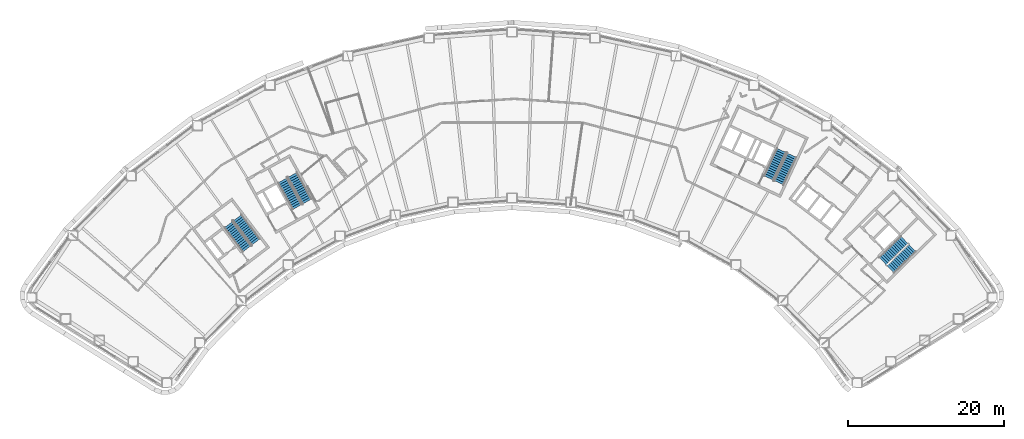
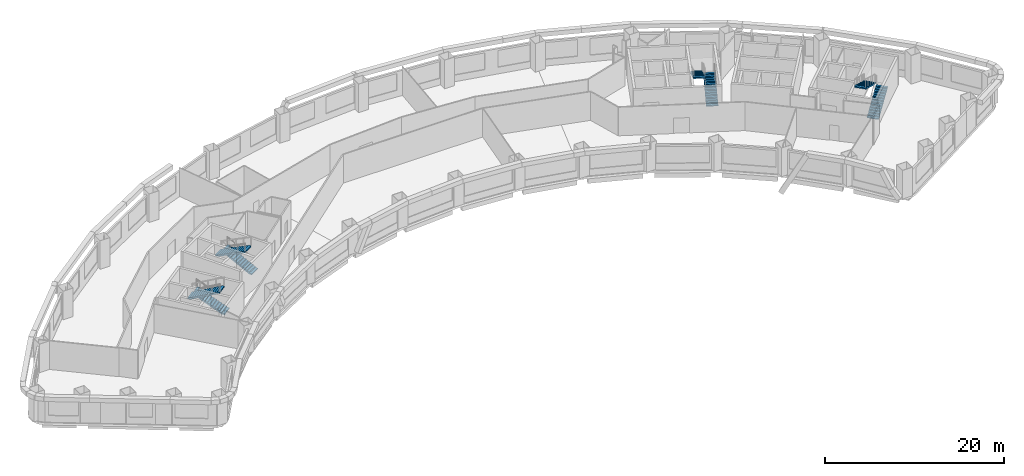
# One storey, part 9 of 11: 8 stair flights, 4 elements without a shape of their own.
"""IFC4 building model written with IfcOpenShell, lengths in metres."""

from ifc_helpers import new_model, si_unit, direction, frame, origin, place, context, subcontext, project, spatial, polyline, outline, extrude, material, type_object, element, aggregate, save


model = new_model("IFC4")

# Units and contexts
model_context = context("Model", 3, precision=1e-05, world=origin(), true_north=direction((0.0, 1.0)))
body_context = subcontext(model_context, "Body", "Model", "MODEL_VIEW")
ifc_project = project(units=[si_unit("LENGTHUNIT", "METRE"), si_unit("AREAUNIT", "SQUARE_METRE"), si_unit("VOLUMEUNIT", "CUBIC_METRE"), si_unit("PLANEANGLEUNIT", "RADIAN"), si_unit("MASSUNIT", "GRAM", prefix="KILO")], contexts=[model_context])

# Site, building, storey
site_placement = place(None, origin())
site = spatial("IfcSite", under=ifc_project, at=site_placement, CompositionType="ELEMENT")
building_placement = place(site_placement, origin())
building = spatial("IfcBuilding", under=site, at=building_placement, Name="Tuul Gate Civic Tower", CompositionType="ELEMENT")
storey_placement = place(building_placement, frame((0.0, 0.0, 52.5)))
storey = spatial("IfcBuildingStorey", under=building, at=storey_placement, Name="Level 11", CompositionType="ELEMENT", Elevation=52.5)

# Stair, stair flights
ifc_material_1 = material(Name="Concrete C40/50", Category="concrete")
stair_type = type_object("IfcStairType", Name="Exit stair", PredefinedType="HALF_TURN_STAIR", material=ifc_material_1)
stair_1_placement = place(storey_placement, origin())
stair_1 = element("IfcStair", 1, at=stair_1_placement, inside=storey, type_object=stair_type, Name="Level 11 ST-1", PredefinedType="HALF_TURN_STAIR")
ifc_material_2 = material(Name="Concrete C40/50", Category="concrete")
stair_flight_type = type_object("IfcStairFlightType", Name="Exit stair flight", PredefinedType="STRAIGHT", material=ifc_material_2)
stair_flight_1_placement = place(storey_placement, frame((-32.875244140625, -13.066650390625, 0.0), z_axis=(0.0, 0.0, 1.0), x_axis=(-0.605764474941, 0.795644016442, 0.0)))
stair_flight_1 = element("IfcStairFlight", 2, at=stair_flight_1_placement, type_object=stair_flight_type, Name="ST-1 flight 1", NumberOfRisers=14, NumberOfTreads=13, PredefinedType="STRAIGHT", RiserHeight=0.15, TreadLength=0.3, context=body_context, shape_type="SweptSolid", body=[
    extrude(outline(polyline([(0.0, 0.0), (0.0, 0.14990234375), (0.300048828125, 0.14990234375), (0.300048828125, 0.300048828125), (0.60009765625, 0.300048828125), (0.60009765625, 0.449951171875), (0.89990234375, 0.449951171875), (0.89990234375, 0.60009765625), (1.199951171875, 0.60009765625), (1.199951171875, 0.75), (1.5, 0.75), (1.5, 0.89990234375), (1.800048828125, 0.89990234375), (1.800048828125, 1.050048828125), (2.10009765625, 1.050048828125), (2.10009765625, 1.199951171875), (2.39990234375, 1.199951171875), (2.39990234375, 1.35009765625), (2.699951171875, 1.35009765625), (2.699951171875, 1.5), (3.0, 1.5), (3.0, 1.64990234375), (3.300048828125, 1.64990234375), (3.300048828125, 1.800048828125), (3.60009765625, 1.800048828125), (3.60009765625, 1.949951171875), (3.89990234375, 1.949951171875), (3.89990234375, 2.10009765625), (3.89990234375, 1.782470703125), (0.335205078125, 0.0), (0.0, 0.0)])), frame((0.0, 0.675048828125, 0.0), z_axis=(0.0, -1.0, 0.0), x_axis=(1.0, 0.0, 0.0)), (0.0, 0.0, 1.0), 1.35009765625),
])
stair_flight_2_placement = place(storey_placement, frame((-36.391357421875, -10.842041015625, 2.10009765625), z_axis=(0.0, 0.0, 1.0), x_axis=(0.605764474941, -0.795644016442, 0.0)))
stair_flight_2 = element("IfcStairFlight", 3, at=stair_flight_2_placement, type_object=stair_flight_type, Name="ST-1 flight 2", NumberOfRisers=14, NumberOfTreads=13, PredefinedType="STRAIGHT", RiserHeight=0.15, TreadLength=0.3, context=body_context, shape_type="SweptSolid", body=[
    extrude(outline(polyline([(0.0, 0.0), (0.0, 0.14990234375), (0.300048828125, 0.14990234375), (0.300048828125, 0.300048828125), (0.60009765625, 0.300048828125), (0.60009765625, 0.449951171875), (0.89990234375, 0.449951171875), (0.89990234375, 0.60009765625), (1.199951171875, 0.60009765625), (1.199951171875, 0.75), (1.5, 0.75), (1.5, 0.89990234375), (1.800048828125, 0.89990234375), (1.800048828125, 1.050048828125), (2.10009765625, 1.050048828125), (2.10009765625, 1.199951171875), (2.39990234375, 1.199951171875), (2.39990234375, 1.35009765625), (2.699951171875, 1.35009765625), (2.699951171875, 1.5), (3.0, 1.5), (3.0, 1.64990234375), (3.300048828125, 1.64990234375), (3.300048828125, 1.800048828125), (3.60009765625, 1.800048828125), (3.60009765625, 1.949951171875), (3.89990234375, 1.949951171875), (3.89990234375, 2.10009765625), (3.89990234375, 1.782470703125), (0.335205078125, 0.0), (0.0, 0.0)])), frame((0.0, 0.675048828125, 0.0), z_axis=(0.0, -1.0, 0.0), x_axis=(1.0, 0.0, 0.0)), (0.0, 0.0, 1.0), 1.35009765625),
])
aggregate(stair_1, [stair_flight_1, stair_flight_2])

stair_2_placement = place(storey_placement, origin())
stair_2 = element("IfcStair", 4, at=stair_2_placement, inside=storey, type_object=stair_type, Name="Level 11 ST-2", PredefinedType="HALF_TURN_STAIR")
stair_flight_3_placement = place(storey_placement, frame((-26.29150390625, -7.87646484375, 0.0), z_axis=(0.0, 0.0, 1.0), x_axis=(-0.484761763766, 0.874646232708, 0.0)))
stair_flight_3 = element("IfcStairFlight", 5, at=stair_flight_3_placement, type_object=stair_flight_type, Name="ST-2 flight 1", NumberOfRisers=14, NumberOfTreads=13, PredefinedType="STRAIGHT", RiserHeight=0.15, TreadLength=0.3, context=body_context, shape_type="SweptSolid", body=[
    extrude(outline(polyline([(0.0, 0.0), (0.0, 0.14990234375), (0.300048828125, 0.14990234375), (0.300048828125, 0.300048828125), (0.60009765625, 0.300048828125), (0.60009765625, 0.449951171875), (0.89990234375, 0.449951171875), (0.89990234375, 0.60009765625), (1.199951171875, 0.60009765625), (1.199951171875, 0.75), (1.5, 0.75), (1.5, 0.89990234375), (1.800048828125, 0.89990234375), (1.800048828125, 1.050048828125), (2.10009765625, 1.050048828125), (2.10009765625, 1.199951171875), (2.39990234375, 1.199951171875), (2.39990234375, 1.35009765625), (2.699951171875, 1.35009765625), (2.699951171875, 1.5), (3.0, 1.5), (3.0, 1.64990234375), (3.300048828125, 1.64990234375), (3.300048828125, 1.800048828125), (3.60009765625, 1.800048828125), (3.60009765625, 1.949951171875), (3.89990234375, 1.949951171875), (3.89990234375, 2.10009765625), (3.89990234375, 1.782470703125), (0.335205078125, 0.0), (0.0, 0.0)])), frame((0.0, 0.675048828125, 0.0), z_axis=(0.0, -1.0, 0.0), x_axis=(1.0, 0.0, 0.0)), (0.0, 0.0, 1.0), 1.35009765625),
])
stair_flight_4_placement = place(storey_placement, frame((-29.450439453125, -5.168212890625, 2.10009765625), z_axis=(0.0, 0.0, 1.0), x_axis=(0.484761763766, -0.874646232708, 0.0)))
stair_flight_4 = element("IfcStairFlight", 6, at=stair_flight_4_placement, type_object=stair_flight_type, Name="ST-2 flight 2", NumberOfRisers=14, NumberOfTreads=13, PredefinedType="STRAIGHT", RiserHeight=0.15, TreadLength=0.3, context=body_context, shape_type="SweptSolid", body=[
    extrude(outline(polyline([(0.0, 0.0), (0.0, 0.14990234375), (0.300048828125, 0.14990234375), (0.300048828125, 0.300048828125), (0.60009765625, 0.300048828125), (0.60009765625, 0.449951171875), (0.89990234375, 0.449951171875), (0.89990234375, 0.60009765625), (1.199951171875, 0.60009765625), (1.199951171875, 0.75), (1.5, 0.75), (1.5, 0.89990234375), (1.800048828125, 0.89990234375), (1.800048828125, 1.050048828125), (2.10009765625, 1.050048828125), (2.10009765625, 1.199951171875), (2.39990234375, 1.199951171875), (2.39990234375, 1.35009765625), (2.699951171875, 1.35009765625), (2.699951171875, 1.5), (3.0, 1.5), (3.0, 1.64990234375), (3.300048828125, 1.64990234375), (3.300048828125, 1.800048828125), (3.60009765625, 1.800048828125), (3.60009765625, 1.949951171875), (3.89990234375, 1.949951171875), (3.89990234375, 2.10009765625), (3.89990234375, 1.782470703125), (0.335205078125, 0.0), (0.0, 0.0)])), frame((0.0, 0.675048828125, 0.0), z_axis=(0.0, -1.0, 0.0), x_axis=(1.0, 0.0, 0.0)), (0.0, 0.0, 1.0), 1.35009765625),
])
aggregate(stair_2, [stair_flight_3, stair_flight_4])

stair_3_placement = place(storey_placement, origin())
stair_3 = element("IfcStair", 7, at=stair_3_placement, inside=storey, type_object=stair_type, Name="Level 11 ST-3", PredefinedType="HALF_TURN_STAIR")
stair_flight_5_placement = place(storey_placement, frame((48.61376953125, -16.581787109375, 0.0), z_axis=(0.0, 0.0, 1.0), x_axis=(0.714127290059, 0.700015866672, 0.0)))
stair_flight_5 = element("IfcStairFlight", 8, at=stair_flight_5_placement, type_object=stair_flight_type, Name="ST-3 flight 1", NumberOfRisers=14, NumberOfTreads=13, PredefinedType="STRAIGHT", RiserHeight=0.15, TreadLength=0.3, context=body_context, shape_type="SweptSolid", body=[
    extrude(outline(polyline([(0.0, 0.0), (0.0, 0.14990234375), (0.300048828125, 0.14990234375), (0.300048828125, 0.300048828125), (0.60009765625, 0.300048828125), (0.60009765625, 0.449951171875), (0.89990234375, 0.449951171875), (0.89990234375, 0.60009765625), (1.199951171875, 0.60009765625), (1.199951171875, 0.75), (1.5, 0.75), (1.5, 0.89990234375), (1.800048828125, 0.89990234375), (1.800048828125, 1.050048828125), (2.10009765625, 1.050048828125), (2.10009765625, 1.199951171875), (2.39990234375, 1.199951171875), (2.39990234375, 1.35009765625), (2.699951171875, 1.35009765625), (2.699951171875, 1.5), (3.0, 1.5), (3.0, 1.64990234375), (3.300048828125, 1.64990234375), (3.300048828125, 1.800048828125), (3.60009765625, 1.800048828125), (3.60009765625, 1.949951171875), (3.89990234375, 1.949951171875), (3.89990234375, 2.10009765625), (3.89990234375, 1.782470703125), (0.335205078125, 0.0), (0.0, 0.0)])), frame((0.0, 0.675048828125, 0.0), z_axis=(0.0, -1.0, 0.0), x_axis=(1.0, 0.0, 0.0)), (0.0, 0.0, 1.0), 1.35009765625),
])
stair_flight_6_placement = place(storey_placement, frame((50.3837890625, -12.816162109375, 2.10009765625), z_axis=(0.0, 0.0, 1.0), x_axis=(-0.714127290059, -0.700015866672, 0.0)))
stair_flight_6 = element("IfcStairFlight", 9, at=stair_flight_6_placement, type_object=stair_flight_type, Name="ST-3 flight 2", NumberOfRisers=14, NumberOfTreads=13, PredefinedType="STRAIGHT", RiserHeight=0.15, TreadLength=0.3, context=body_context, shape_type="SweptSolid", body=[
    extrude(outline(polyline([(0.0, 0.0), (0.0, 0.14990234375), (0.300048828125, 0.14990234375), (0.300048828125, 0.300048828125), (0.60009765625, 0.300048828125), (0.60009765625, 0.449951171875), (0.89990234375, 0.449951171875), (0.89990234375, 0.60009765625), (1.199951171875, 0.60009765625), (1.199951171875, 0.75), (1.5, 0.75), (1.5, 0.89990234375), (1.800048828125, 0.89990234375), (1.800048828125, 1.050048828125), (2.10009765625, 1.050048828125), (2.10009765625, 1.199951171875), (2.39990234375, 1.199951171875), (2.39990234375, 1.35009765625), (2.699951171875, 1.35009765625), (2.699951171875, 1.5), (3.0, 1.5), (3.0, 1.64990234375), (3.300048828125, 1.64990234375), (3.300048828125, 1.800048828125), (3.60009765625, 1.800048828125), (3.60009765625, 1.949951171875), (3.89990234375, 1.949951171875), (3.89990234375, 2.10009765625), (3.89990234375, 1.782470703125), (0.335205078125, 0.0), (0.0, 0.0)])), frame((0.0, 0.675048828125, 0.0), z_axis=(0.0, -1.0, 0.0), x_axis=(1.0, 0.0, 0.0)), (0.0, 0.0, 1.0), 1.35009765625),
])
aggregate(stair_3, [stair_flight_5, stair_flight_6])

stair_4_placement = place(storey_placement, origin())
stair_4 = element("IfcStair", 10, at=stair_4_placement, inside=storey, type_object=stair_type, Name="Level 11 ST-4", PredefinedType="HALF_TURN_STAIR")
stair_flight_7_placement = place(storey_placement, frame((34.278564453125, -5.478515625, 0.0), z_axis=(0.0, 0.0, 1.0), x_axis=(0.422576295988, 0.906327354806, 0.0)))
stair_flight_7 = element("IfcStairFlight", 11, at=stair_flight_7_placement, type_object=stair_flight_type, Name="ST-4 flight 1", NumberOfRisers=14, NumberOfTreads=13, PredefinedType="STRAIGHT", RiserHeight=0.15, TreadLength=0.3, context=body_context, shape_type="SweptSolid", body=[
    extrude(outline(polyline([(0.0, 0.0), (0.0, 0.14990234375), (0.300048828125, 0.14990234375), (0.300048828125, 0.300048828125), (0.60009765625, 0.300048828125), (0.60009765625, 0.449951171875), (0.89990234375, 0.449951171875), (0.89990234375, 0.60009765625), (1.199951171875, 0.60009765625), (1.199951171875, 0.75), (1.5, 0.75), (1.5, 0.89990234375), (1.800048828125, 0.89990234375), (1.800048828125, 1.050048828125), (2.10009765625, 1.050048828125), (2.10009765625, 1.199951171875), (2.39990234375, 1.199951171875), (2.39990234375, 1.35009765625), (2.699951171875, 1.35009765625), (2.699951171875, 1.5), (3.0, 1.5), (3.0, 1.64990234375), (3.300048828125, 1.64990234375), (3.300048828125, 1.800048828125), (3.60009765625, 1.800048828125), (3.60009765625, 1.949951171875), (3.89990234375, 1.949951171875), (3.89990234375, 2.10009765625), (3.89990234375, 1.782470703125), (0.335205078125, 0.0), (0.0, 0.0)])), frame((0.0, 0.675048828125, 0.0), z_axis=(0.0, -1.0, 0.0), x_axis=(1.0, 0.0, 0.0)), (0.0, 0.0, 1.0), 1.35009765625),
])
stair_flight_8_placement = place(storey_placement, frame((34.612548828125, -1.3310546875, 2.10009765625), z_axis=(0.0, 0.0, 1.0), x_axis=(-0.422576295988, -0.906327354806, 0.0)))
stair_flight_8 = element("IfcStairFlight", 12, at=stair_flight_8_placement, type_object=stair_flight_type, Name="ST-4 flight 2", NumberOfRisers=14, NumberOfTreads=13, PredefinedType="STRAIGHT", RiserHeight=0.15, TreadLength=0.3, context=body_context, shape_type="SweptSolid", body=[
    extrude(outline(polyline([(0.0, 0.0), (0.0, 0.14990234375), (0.300048828125, 0.14990234375), (0.300048828125, 0.300048828125), (0.60009765625, 0.300048828125), (0.60009765625, 0.449951171875), (0.89990234375, 0.449951171875), (0.89990234375, 0.60009765625), (1.199951171875, 0.60009765625), (1.199951171875, 0.75), (1.5, 0.75), (1.5, 0.89990234375), (1.800048828125, 0.89990234375), (1.800048828125, 1.050048828125), (2.10009765625, 1.050048828125), (2.10009765625, 1.199951171875), (2.39990234375, 1.199951171875), (2.39990234375, 1.35009765625), (2.699951171875, 1.35009765625), (2.699951171875, 1.5), (3.0, 1.5), (3.0, 1.64990234375), (3.300048828125, 1.64990234375), (3.300048828125, 1.800048828125), (3.60009765625, 1.800048828125), (3.60009765625, 1.949951171875), (3.89990234375, 1.949951171875), (3.89990234375, 2.10009765625), (3.89990234375, 1.782470703125), (0.335205078125, 0.0), (0.0, 0.0)])), frame((0.0, 0.675048828125, 0.0), z_axis=(0.0, -1.0, 0.0), x_axis=(1.0, 0.0, 0.0)), (0.0, 0.0, 1.0), 1.35009765625),
])
aggregate(stair_4, [stair_flight_7, stair_flight_8])

save(model, "model.ifc")
